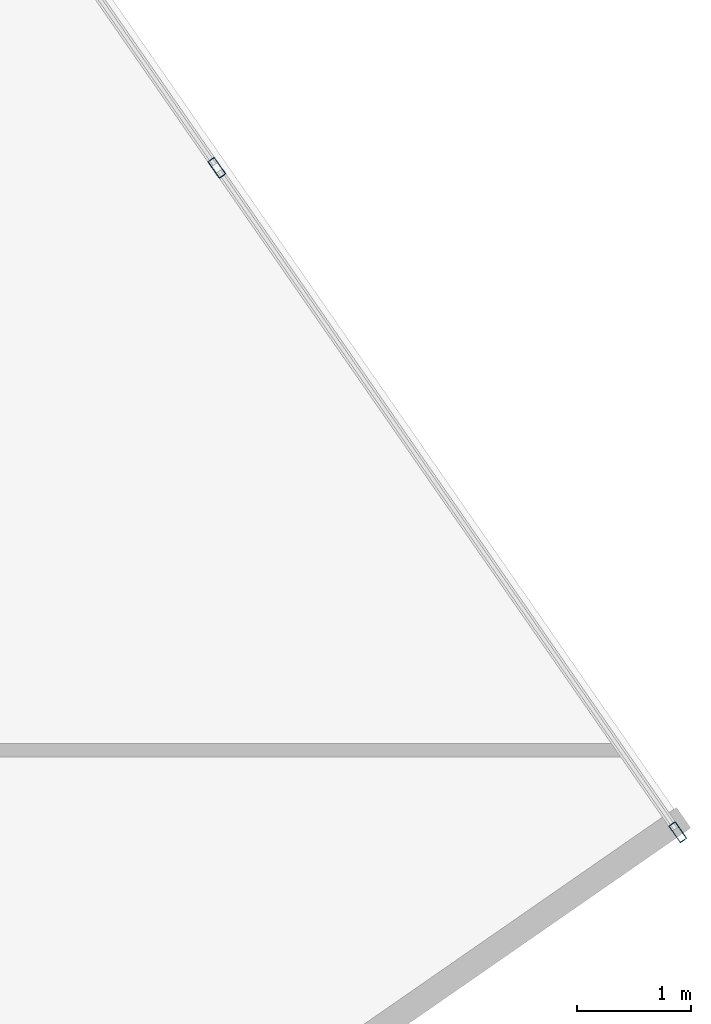
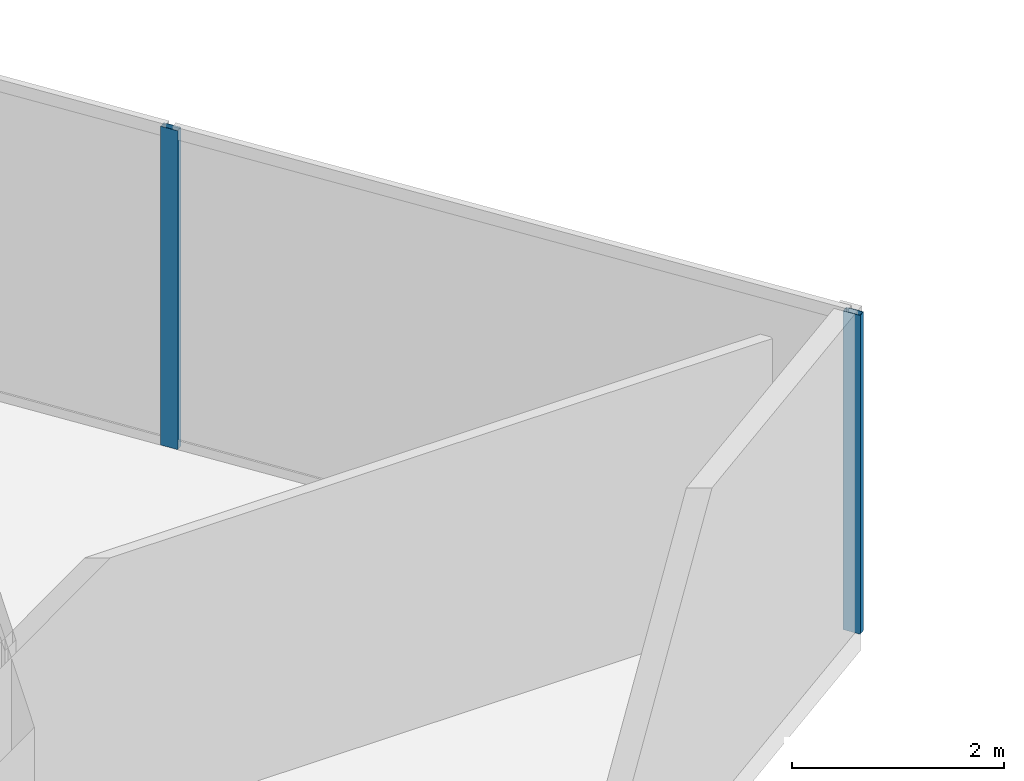
# One storey, part 11 of 21: 2 members, 1 element without a shape of its own.
"""IFC4 building model written with IfcOpenShell, lengths in metres."""

from ifc_helpers import new_model, si_unit, direction, frame, origin, origin_2d, place, context, subcontext, project, spatial, hollow_rectangle, extrude, source, transform, mapped, material, material_profile, profile_set, type_object, type_shapes, element, aggregate, save


model = new_model("IFC4")

# Units and contexts
model_context = context("Model", 3, precision=1e-05, world=origin(), true_north=direction((0.0, 1.0)))
body_context = subcontext(model_context, "Body", "Model", "MODEL_VIEW")
ifc_project = project(units=[si_unit("LENGTHUNIT", "METRE"), si_unit("AREAUNIT", "SQUARE_METRE"), si_unit("VOLUMEUNIT", "CUBIC_METRE"), si_unit("PLANEANGLEUNIT", "RADIAN"), si_unit("MASSUNIT", "GRAM", prefix="KILO")], contexts=[model_context])

# Site, building, storey
site_placement = place(None, origin())
site = spatial("IfcSite", under=ifc_project, at=site_placement, CompositionType="ELEMENT")
building_placement = place(site_placement, origin())
building = spatial("IfcBuilding", under=site, at=building_placement, Name="Krantzveldt Concourse Tower", CompositionType="ELEMENT")
storey_placement = place(building_placement, frame((0.0, 0.0, 271.35009765625)))
storey = spatial("IfcBuildingStorey", under=building, at=storey_placement, Name="L66", CompositionType="ELEMENT", Elevation=271.35009765625)

# Curtain wall, members
ifc_material = material(Name="Anodised aluminium 6063-T6", Category="aluminium")
curtain_wall_type = type_object("IfcCurtainWallType", Name="CW4", PredefinedType="USERDEFINED", material=ifc_material)
curtain_wall_placement = place(storey_placement, origin())
curtain_wall = element("IfcCurtainWall", 1, at=curtain_wall_placement, inside=storey, type_object=curtain_wall_type, Name="CW-L66-F14", ObjectType="UNITISED CURTAIN WALL", PredefinedType="USERDEFINED")
ifc_material_profile = material_profile(ifc_material, hollow_rectangle(XDim=0.070068359375, YDim=0.179931640625, WallThickness=0.0048828125, at=origin_2d()), Name="Anodised aluminium 6063-T6", Category="aluminium")
ifc_profile_set = profile_set([ifc_material_profile], Name="Anodised aluminium 6063-T6 - ALU-MULL 180x70x5")
member_type = type_object("IfcMemberType", Name="CW-MUL-180", PredefinedType="MULLION", material=ifc_profile_set)
shared_shape = source(origin(), body_context, "Body", "SweptSolid", [
    extrude(hollow_rectangle(XDim=0.070068359375, YDim=0.179931640625, WallThickness=0.0048828125, at=origin_2d()), origin(), (0.0, 0.0, 1.0), 3.669921875),
])
type_shapes(member_type, [shared_shape])
member_1_placement = place(storey_placement, frame((60.161376953125, 26.099853515625, 0.0), z_axis=(0.0, 0.0, 1.0), x_axis=(-0.821647031735, -0.569996627395, 0.0)))
member_1 = element("IfcMember", 2, at=member_1_placement, type_object=member_type, Name="CW-Z56 mullion 1", PredefinedType="MULLION", context=body_context, shape_type="MappedRepresentation", body=[
    mapped(shared_shape, transform((0.0, 0.0, 0.0), x_axis=(1.0, 0.0, 0.0), y_axis=(0.0, 1.0, 0.0), z_axis=(0.0, 0.0, 1.0), scale=1.0)),
])
member_2_placement = place(storey_placement, frame((56.105712890625, 31.94580078125, 0.0), z_axis=(0.0, 0.0, 1.0), x_axis=(-0.821647031735, -0.569996627395, 0.0)))
member_2 = element("IfcMember", 3, at=member_2_placement, type_object=member_type, Name="CW-Z56 mullion 2", PredefinedType="MULLION", context=body_context, shape_type="MappedRepresentation", body=[
    mapped(shared_shape, transform((0.0, 0.0, 0.0), x_axis=(1.0, 0.0, 0.0), y_axis=(0.0, 1.0, 0.0), z_axis=(0.0, 0.0, 1.0), scale=1.0)),
])
aggregate(curtain_wall, [member_1, member_2])

save(model, "model.ifc")
